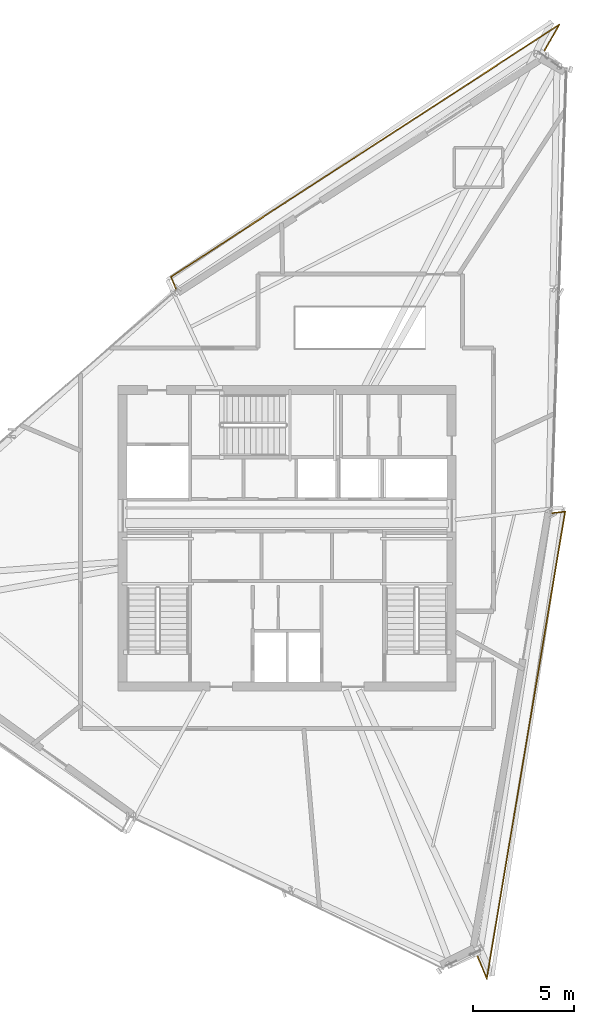
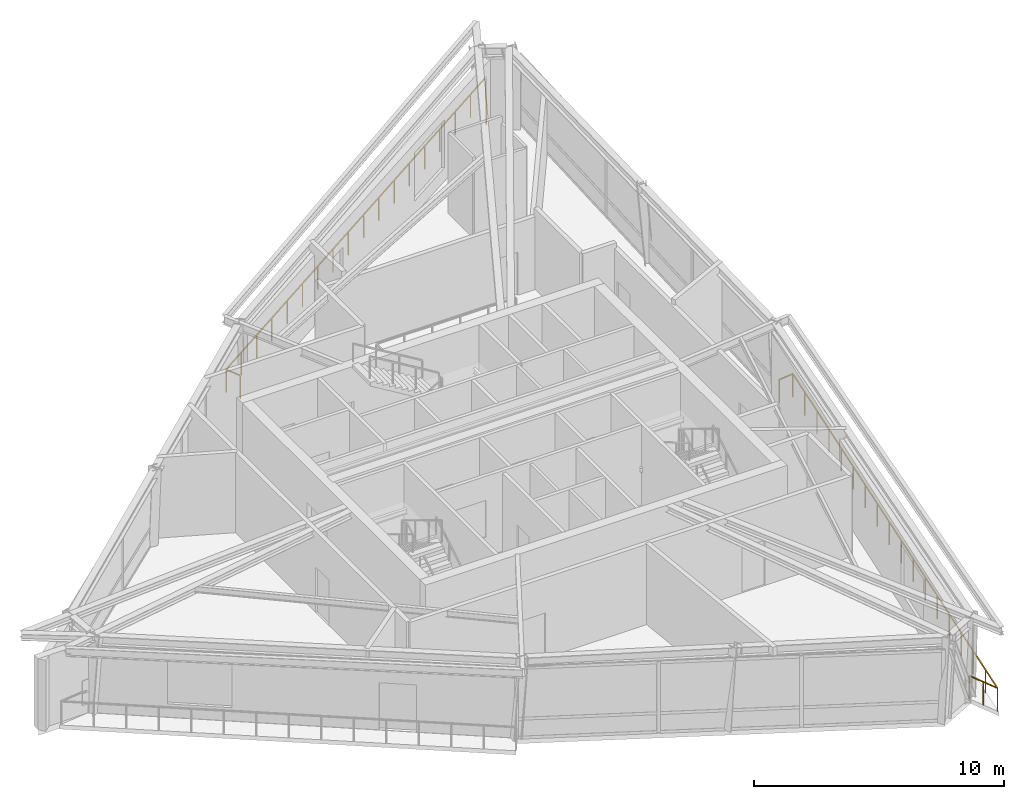
# One storey, part 22 of 22: 2 railings.
"""IFC4 building model written with IfcOpenShell, lengths in metres."""

import ifcopenshell
import ifcopenshell.guid

model = None  # the IFC model being written
_history = None  # IfcOwnerHistory: only IFC2X3 demands one
_inside = {}  # id of a spatial element -> (the spatial element, [elements in it])
_under = {}  # id of a project, library or spatial element -> (it, [spatial elements below it])
_declared = {}  # id of a project -> (the project, [libraries it declares])
_typed = {}  # id of a type object -> (the type object, [elements of that type])
_made_of = {}  # id of a material, layer set ... -> (it, [elements and type objects made of it])


def new_model(schema):
    """Start an empty IFC model of exactly this schema.

    Asked for "IFC4X3", IfcOpenShell would pick the latest addendum, in which some entities
    have other attributes; the version numbers below select the first issue.
    IFC2X3 requires an IfcOwnerHistory on every rooted entity: one is made here for all.
    """
    global model, _history
    if schema == "IFC4X3":
        model = ifcopenshell.file(schema_version=(4, 3, 0, 0))
    else:
        model = ifcopenshell.file(schema=schema)
    _inside.clear()
    _under.clear()
    _declared.clear()
    _typed.clear()
    _made_of.clear()
    _history = None
    if model.schema == "IFC2X3":
        org = make("IfcOrganization", Name="unknown")
        user = make(
            "IfcPersonAndOrganization",
            ThePerson=make("IfcPerson", FamilyName="unknown"),
            TheOrganization=org,
        )
        app = make(
            "IfcApplication",
            ApplicationDeveloper=org,
            Version="unknown",
            ApplicationFullName="unknown",
            ApplicationIdentifier="unknown",
        )
        _history = make(
            "IfcOwnerHistory",
            OwningUser=user,
            OwningApplication=app,
            ChangeAction="ADDED",
            CreationDate=0,
        )
    return model


def make(cls, **values):
    """One entity of the class cls with the attributes given. An attribute that is None is left unset."""
    return model.create_entity(
        cls, **{name: value for name, value in values.items() if value is not None}
    )


def rooted(cls, **values):
    """An entity with a GlobalId (a new one), such as an element, a storey or a relation."""
    return make(cls, GlobalId=ifcopenshell.guid.new(), OwnerHistory=_history, **values)


def si_unit(unit_type, name, prefix=None):
    """IfcSIUnit, for example si_unit("LENGTHUNIT", "METRE", prefix="MILLI")."""
    return make("IfcSIUnit", UnitType=unit_type, Prefix=prefix, Name=name)


def assignment(units):
    """IfcUnitAssignment: the units of a project."""
    return None if units is None else make("IfcUnitAssignment", Units=units)


def point(xyz):
    """IfcCartesianPoint."""
    return None if xyz is None else make("IfcCartesianPoint", Coordinates=xyz)


def direction(xyz):
    """IfcDirection."""
    return None if xyz is None else make("IfcDirection", DirectionRatios=xyz)


def frame(location, z_axis=None, x_axis=None):
    """IfcAxis2Placement3D, a coordinate frame: its origin and axes. An axis left out is left unset."""
    return make(
        "IfcAxis2Placement3D",
        Location=point(location),
        Axis=direction(z_axis),
        RefDirection=direction(x_axis),
    )


def frame_2d(location, x_axis=None):
    """IfcAxis2Placement2D, a coordinate frame in the plane: its origin and x axis."""
    return make(
        "IfcAxis2Placement2D", Location=point(location), RefDirection=direction(x_axis)
    )


def origin():
    """The frame at (0, 0, 0) with its axes left unset."""
    return frame((0.0, 0.0, 0.0))


def origin_2d():
    """The frame at (0, 0) in the plane with its x axis left unset."""
    return frame_2d((0.0, 0.0))


def place(relative_to, where):
    """IfcLocalPlacement: puts the frame where relative to a parent placement (None: the world)."""
    return make(
        "IfcLocalPlacement", PlacementRelTo=relative_to, RelativePlacement=where
    )


def context(
    kind, dimensions, precision=None, world=None, true_north=None, identifier=None
):
    """IfcGeometricRepresentationContext, for example the 3D "Model" context."""
    return make(
        "IfcGeometricRepresentationContext",
        ContextIdentifier=identifier,
        ContextType=kind,
        CoordinateSpaceDimension=dimensions,
        Precision=precision,
        WorldCoordinateSystem=world,
        TrueNorth=true_north,
    )


def subcontext(parent, identifier, kind, view, scale=None):
    """IfcGeometricRepresentationSubContext, for example "Body" below "Model"."""
    return make(
        "IfcGeometricRepresentationSubContext",
        ContextIdentifier=identifier,
        ContextType=kind,
        ParentContext=parent,
        TargetScale=scale,
        TargetView=view,
    )


def project(units=None, contexts=None):
    """IfcProject with its units and contexts."""
    return rooted(
        "IfcProject",
        Name="project",
        RepresentationContexts=contexts,
        UnitsInContext=assignment(units),
    )


def spatial(cls, under=None, at=None, **own):
    """A site, building, storey or space (cls), placed at a placement, below another one or the project."""
    s = rooted(cls, ObjectPlacement=at, **own)
    if under is not None:
        _under.setdefault(under.id(), (under, []))[1].append(s)
    return s


def profile(cls, at=None, kind="AREA", **sizes):
    """A parametric profile (cls). Its sizes go by their IFC names, for example OverallWidth=200.0."""
    return make(cls, ProfileType=kind, Position=at, **sizes)


def rectangle(**sizes):
    """IfcRectangleProfileDef."""
    return profile("IfcRectangleProfileDef", **sizes)


def extrude(swept, where, along, depth):
    """IfcExtrudedAreaSolid: the profile swept, set in the frame where, extruded along a direction by depth."""
    return make(
        "IfcExtrudedAreaSolid",
        SweptArea=swept,
        Position=where,
        ExtrudedDirection=direction(along),
        Depth=depth,
    )


def shape(context_of_items, identifier, shape_type, items):
    """IfcShapeRepresentation: the items that make up one representation, for example the "Body"."""
    return make(
        "IfcShapeRepresentation",
        ContextOfItems=context_of_items,
        RepresentationIdentifier=identifier,
        RepresentationType=shape_type,
        Items=items,
    )


def material(Name=None, Category=None):
    """IfcMaterial."""
    return make("IfcMaterial", Name=Name, Category=Category)


def made_of(thing, what):
    """Note that an element or type object is made of a material, layer set ...; save() writes the relation."""
    if what is not None:
        _made_of.setdefault(what.id(), (what, []))[1].append(thing)
    return thing


def type_object(cls, material=None, **own):
    """A type object (cls), such as IfcWallType, which elements share."""
    return made_of(rooted(cls, **own), material)


def element(
    cls,
    number,
    at=None,
    inside=None,
    cuts=None,
    type_object=None,
    material=None,
    context=None,
    identifier="Body",
    shape_type=None,
    held_by="IfcProductDefinitionShape",
    body=None,
    shapes=None,
    **own,
):
    """One element of the class cls, such as IfcWall. Its Tag is "e" and its number.

    at: its placement. inside: the storey or other place that contains it. cuts: it is an
    opening in that element (IfcRelVoidsElement). A single representation is given by context,
    identifier, shape_type and body (its items); several are given by shapes. held_by: the class
    of the entity that holds the representations. save() writes the other relations.
    """
    e = rooted(cls, Tag="e%d" % number, ObjectPlacement=at, **own)
    if body is not None:
        shapes = [shape(context, identifier, shape_type, body)]
    if shapes is not None:
        e.Representation = make(held_by, Representations=shapes)
    if inside is not None:
        _inside.setdefault(inside.id(), (inside, []))[1].append(e)
    if cuts is not None:
        rooted(
            "IfcRelVoidsElement", RelatingBuildingElement=cuts, RelatedOpeningElement=e
        )
    if type_object is not None:
        _typed.setdefault(type_object.id(), (type_object, []))[1].append(e)
    return made_of(e, material)


def aggregate(whole, parts):
    """IfcRelAggregates: a whole, such as a stair, and the parts it consists of."""
    return rooted("IfcRelAggregates", RelatingObject=whole, RelatedObjects=parts)


def save(model, path):
    """Write the relations noted so far, then the file.

    IfcRelAggregates (storeys below a building ...), IfcRelContainedInSpatialStructure (elements
    in a storey), IfcRelDefinesByType, IfcRelAssociatesMaterial and IfcRelDeclares: one each for
    every whole, place, type object, material and project.
    """
    for whole, parts in _under.values():
        aggregate(whole, parts)
    for where, things in _inside.values():
        rooted(
            "IfcRelContainedInSpatialStructure",
            RelatedElements=things,
            RelatingStructure=where,
        )
    for kind, things in _typed.values():
        rooted("IfcRelDefinesByType", RelatedObjects=things, RelatingType=kind)
    for what, things in _made_of.values():
        rooted("IfcRelAssociatesMaterial", RelatedObjects=things, RelatingMaterial=what)
    for by, libraries in _declared.values():
        rooted("IfcRelDeclares", RelatingContext=by, RelatedDefinitions=libraries)
    model.write(path)


model = new_model("IFC4")

# Units and contexts
model_context = context("Model", 3, precision=1e-05, world=origin(), true_north=direction((0.0, 1.0)))
body_context = subcontext(model_context, "Body", "Model", "MODEL_VIEW")
ifc_project = project(units=[si_unit("LENGTHUNIT", "METRE"), si_unit("AREAUNIT", "SQUARE_METRE"), si_unit("VOLUMEUNIT", "CUBIC_METRE"), si_unit("PLANEANGLEUNIT", "RADIAN"), si_unit("MASSUNIT", "GRAM", prefix="KILO")], contexts=[model_context])

# Site, building, storey
site_placement = place(None, origin())
site = spatial("IfcSite", under=ifc_project, at=site_placement, CompositionType="ELEMENT")
building_placement = place(site_placement, origin())
building = spatial("IfcBuilding", under=site, at=building_placement, Name="Olszyna Solenne Hotel", CompositionType="ELEMENT")
storey_placement = place(building_placement, frame((0.0, 0.0, 281.89990234375)))
storey = spatial("IfcBuildingStorey", under=building, at=storey_placement, Name="L75", CompositionType="ELEMENT", Elevation=281.89990234375)

# Railings
ifc_material = material(Name="Anodised bronze aluminium", Category="aluminium")
railing_type = type_object("IfcRailingType", Name="GR-110", PredefinedType="BALUSTRADE", material=ifc_material)
railing_1_placement = place(storey_placement, frame((50.603271484375, 50.486083984375, 0.0)))
element("IfcRailing", 1, at=railing_1_placement, inside=storey, type_object=railing_type, Name="Loggia balcony balustrade guard GR-L75-LG1", PredefinedType="BALUSTRADE", context=body_context, shape_type="SweptSolid", body=[
    extrude(rectangle(XDim=0.048095703125, YDim=0.048095703125, at=origin_2d()), frame((0.0, 0.0, 1.1259765625), z_axis=(0.489020735811, 0.872272159333, 0.0), x_axis=(-0.872272159333, 0.489020735811, 0.0)), (0.0, 0.0, 1.0), 1.69189453125),
    extrude(rectangle(XDim=0.048095703125, YDim=0.048095703125, at=origin_2d()), frame((0.827392578125, 1.475830078125, 1.1259765625), z_axis=(-0.838755612145, -0.544508056043, 0.0), x_axis=(0.544508056043, -0.838755612145, 0.0)), (0.0, 0.0, 1.0), 22.85595703125),
    extrude(rectangle(XDim=0.048095703125, YDim=0.048095703125, at=origin_2d()), frame((-18.34326171875, -10.969482421875, 1.1259765625), z_axis=(0.381753761721, -0.924264066927, 0.0), x_axis=(0.924264066927, 0.381753761721, 0.0)), (0.0, 0.0, 1.0), 0.709228515625),
    extrude(rectangle(XDim=0.0419921875, YDim=0.0419921875, at=origin_2d()), origin(), (0.0, 0.0, 1.0), 1.101806640625),
    extrude(rectangle(XDim=0.0419921875, YDim=0.0419921875, at=origin_2d()), frame((0.41357421875, 0.73779296875, 0.0)), (0.0, 0.0, 1.0), 1.101806640625),
    extrude(rectangle(XDim=0.0419921875, YDim=0.0419921875, at=origin_2d()), frame((0.827392578125, 1.475830078125, 0.0)), (0.0, 0.0, 1.0), 1.101806640625),
    extrude(rectangle(XDim=0.0419921875, YDim=0.0419921875, at=origin_2d()), frame((-0.30029296875, 0.74365234375, 0.0)), (0.0, 0.0, 1.0), 1.101806640625),
    extrude(rectangle(XDim=0.0419921875, YDim=0.0419921875, at=origin_2d()), frame((-1.427978515625, 0.01171875, 0.0)), (0.0, 0.0, 1.0), 1.101806640625),
    extrude(rectangle(XDim=0.0419921875, YDim=0.0419921875, at=origin_2d()), frame((-2.5556640625, -0.720458984375, 0.0)), (0.0, 0.0, 1.0), 1.101806640625),
    extrude(rectangle(XDim=0.0419921875, YDim=0.0419921875, at=origin_2d()), frame((-3.683349609375, -1.452392578125, 0.0)), (0.0, 0.0, 1.0), 1.101806640625),
    extrude(rectangle(XDim=0.0419921875, YDim=0.0419921875, at=origin_2d()), frame((-4.81103515625, -2.1845703125, 0.0)), (0.0, 0.0, 1.0), 1.101806640625),
    extrude(rectangle(XDim=0.0419921875, YDim=0.0419921875, at=origin_2d()), frame((-5.938720703125, -2.916748046875, 0.0)), (0.0, 0.0, 1.0), 1.101806640625),
    extrude(rectangle(XDim=0.0419921875, YDim=0.0419921875, at=origin_2d()), frame((-7.06640625, -3.648681640625, 0.0)), (0.0, 0.0, 1.0), 1.101806640625),
    extrude(rectangle(XDim=0.0419921875, YDim=0.0419921875, at=origin_2d()), frame((-8.194091796875, -4.380859375, 0.0)), (0.0, 0.0, 1.0), 1.101806640625),
    extrude(rectangle(XDim=0.0419921875, YDim=0.0419921875, at=origin_2d()), frame((-9.32177734375, -5.11279296875, 0.0)), (0.0, 0.0, 1.0), 1.101806640625),
    extrude(rectangle(XDim=0.0419921875, YDim=0.0419921875, at=origin_2d()), frame((-10.449462890625, -5.844970703125, 0.0)), (0.0, 0.0, 1.0), 1.101806640625),
    extrude(rectangle(XDim=0.0419921875, YDim=0.0419921875, at=origin_2d()), frame((-11.5771484375, -6.576904296875, 0.0)), (0.0, 0.0, 1.0), 1.101806640625),
    extrude(rectangle(XDim=0.0419921875, YDim=0.0419921875, at=origin_2d()), frame((-12.704833984375, -7.30908203125, 0.0)), (0.0, 0.0, 1.0), 1.101806640625),
    extrude(rectangle(XDim=0.0419921875, YDim=0.0419921875, at=origin_2d()), frame((-13.83251953125, -8.041259765625, 0.0)), (0.0, 0.0, 1.0), 1.101806640625),
    extrude(rectangle(XDim=0.0419921875, YDim=0.0419921875, at=origin_2d()), frame((-14.960205078125, -8.773193359375, 0.0)), (0.0, 0.0, 1.0), 1.101806640625),
    extrude(rectangle(XDim=0.0419921875, YDim=0.0419921875, at=origin_2d()), frame((-16.087890625, -9.50537109375, 0.0)), (0.0, 0.0, 1.0), 1.101806640625),
    extrude(rectangle(XDim=0.0419921875, YDim=0.0419921875, at=origin_2d()), frame((-17.215576171875, -10.2373046875, 0.0)), (0.0, 0.0, 1.0), 1.101806640625),
    extrude(rectangle(XDim=0.0419921875, YDim=0.0419921875, at=origin_2d()), frame((-18.34326171875, -10.969482421875, 0.0)), (0.0, 0.0, 1.0), 1.101806640625),
    extrude(rectangle(XDim=0.0419921875, YDim=0.0419921875, at=origin_2d()), frame((-18.072509765625, -11.625, 0.0)), (0.0, 0.0, 1.0), 1.101806640625),
])
railing_2_placement = place(storey_placement, frame((47.316162109375, 6.167236328125, 0.0)))
element("IfcRailing", 2, at=railing_2_placement, inside=storey, type_object=railing_type, Name="Loggia balcony balustrade guard GR-L75-LG3", PredefinedType="BALUSTRADE", context=body_context, shape_type="SweptSolid", body=[
    extrude(rectangle(XDim=0.048095703125, YDim=0.048095703125, at=origin_2d()), frame((0.0, 0.0, 1.1259765625), z_axis=(0.381900779926, -0.924203329518, 0.0), x_axis=(0.924203329518, 0.381900779926, 0.0)), (0.0, 0.0, 1.0), 1.41845703125),
    extrude(rectangle(XDim=0.048095703125, YDim=0.048095703125, at=origin_2d()), frame((0.541748046875, -1.31103515625, 1.1259765625), z_axis=(0.165524625556, 0.986205657221, 0.0), x_axis=(-0.986205657221, 0.165524625556, 0.0)), (0.0, 0.0, 1.0), 23.38671875),
    extrude(rectangle(XDim=0.048095703125, YDim=0.048095703125, at=origin_2d()), frame((4.412841796875, 21.753173828125, 1.1259765625), z_axis=(-0.992813031105, -0.11967575054, 0.0), x_axis=(0.11967575054, -0.992813031105, 0.0)), (0.0, 0.0, 1.0), 0.689453125),
    extrude(rectangle(XDim=0.0419921875, YDim=0.0419921875, at=origin_2d()), origin(), (0.0, 0.0, 1.0), 1.101806640625),
    extrude(rectangle(XDim=0.0419921875, YDim=0.0419921875, at=origin_2d()), frame((0.27099609375, -0.655517578125, 0.0)), (0.0, 0.0, 1.0), 1.101806640625),
    extrude(rectangle(XDim=0.0419921875, YDim=0.0419921875, at=origin_2d()), frame((0.541748046875, -1.31103515625, 0.0)), (0.0, 0.0, 1.0), 1.101806640625),
    extrude(rectangle(XDim=0.0419921875, YDim=0.0419921875, at=origin_2d()), frame((0.76953125, 0.045654296875, 0.0)), (0.0, 0.0, 1.0), 1.101806640625),
    extrude(rectangle(XDim=0.0419921875, YDim=0.0419921875, at=origin_2d()), frame((0.9970703125, 1.40234375, 0.0)), (0.0, 0.0, 1.0), 1.101806640625),
    extrude(rectangle(XDim=0.0419921875, YDim=0.0419921875, at=origin_2d()), frame((1.224853515625, 2.759033203125, 0.0)), (0.0, 0.0, 1.0), 1.101806640625),
    extrude(rectangle(XDim=0.0419921875, YDim=0.0419921875, at=origin_2d()), frame((1.45263671875, 4.11572265625, 0.0)), (0.0, 0.0, 1.0), 1.101806640625),
    extrude(rectangle(XDim=0.0419921875, YDim=0.0419921875, at=origin_2d()), frame((1.680419921875, 5.47265625, 0.0)), (0.0, 0.0, 1.0), 1.101806640625),
    extrude(rectangle(XDim=0.0419921875, YDim=0.0419921875, at=origin_2d()), frame((1.907958984375, 6.829345703125, 0.0)), (0.0, 0.0, 1.0), 1.101806640625),
    extrude(rectangle(XDim=0.0419921875, YDim=0.0419921875, at=origin_2d()), frame((2.1357421875, 8.18603515625, 0.0)), (0.0, 0.0, 1.0), 1.101806640625),
    extrude(rectangle(XDim=0.0419921875, YDim=0.0419921875, at=origin_2d()), frame((2.363525390625, 9.542724609375, 0.0)), (0.0, 0.0, 1.0), 1.101806640625),
    extrude(rectangle(XDim=0.0419921875, YDim=0.0419921875, at=origin_2d()), frame((2.591064453125, 10.8994140625, 0.0)), (0.0, 0.0, 1.0), 1.101806640625),
    extrude(rectangle(XDim=0.0419921875, YDim=0.0419921875, at=origin_2d()), frame((2.81884765625, 12.256103515625, 0.0)), (0.0, 0.0, 1.0), 1.101806640625),
    extrude(rectangle(XDim=0.0419921875, YDim=0.0419921875, at=origin_2d()), frame((3.046630859375, 13.61279296875, 0.0)), (0.0, 0.0, 1.0), 1.101806640625),
    extrude(rectangle(XDim=0.0419921875, YDim=0.0419921875, at=origin_2d()), frame((3.274169921875, 14.969482421875, 0.0)), (0.0, 0.0, 1.0), 1.101806640625),
    extrude(rectangle(XDim=0.0419921875, YDim=0.0419921875, at=origin_2d()), frame((3.501953125, 16.326416015625, 0.0)), (0.0, 0.0, 1.0), 1.101806640625),
    extrude(rectangle(XDim=0.0419921875, YDim=0.0419921875, at=origin_2d()), frame((3.729736328125, 17.68310546875, 0.0)), (0.0, 0.0, 1.0), 1.101806640625),
    extrude(rectangle(XDim=0.0419921875, YDim=0.0419921875, at=origin_2d()), frame((3.95751953125, 19.039794921875, 0.0)), (0.0, 0.0, 1.0), 1.101806640625),
    extrude(rectangle(XDim=0.0419921875, YDim=0.0419921875, at=origin_2d()), frame((4.18505859375, 20.396484375, 0.0)), (0.0, 0.0, 1.0), 1.101806640625),
    extrude(rectangle(XDim=0.0419921875, YDim=0.0419921875, at=origin_2d()), frame((4.412841796875, 21.753173828125, 0.0)), (0.0, 0.0, 1.0), 1.101806640625),
    extrude(rectangle(XDim=0.0419921875, YDim=0.0419921875, at=origin_2d()), frame((3.728271484375, 21.670654296875, 0.0)), (0.0, 0.0, 1.0), 1.101806640625),
])

save(model, "model.ifc")
